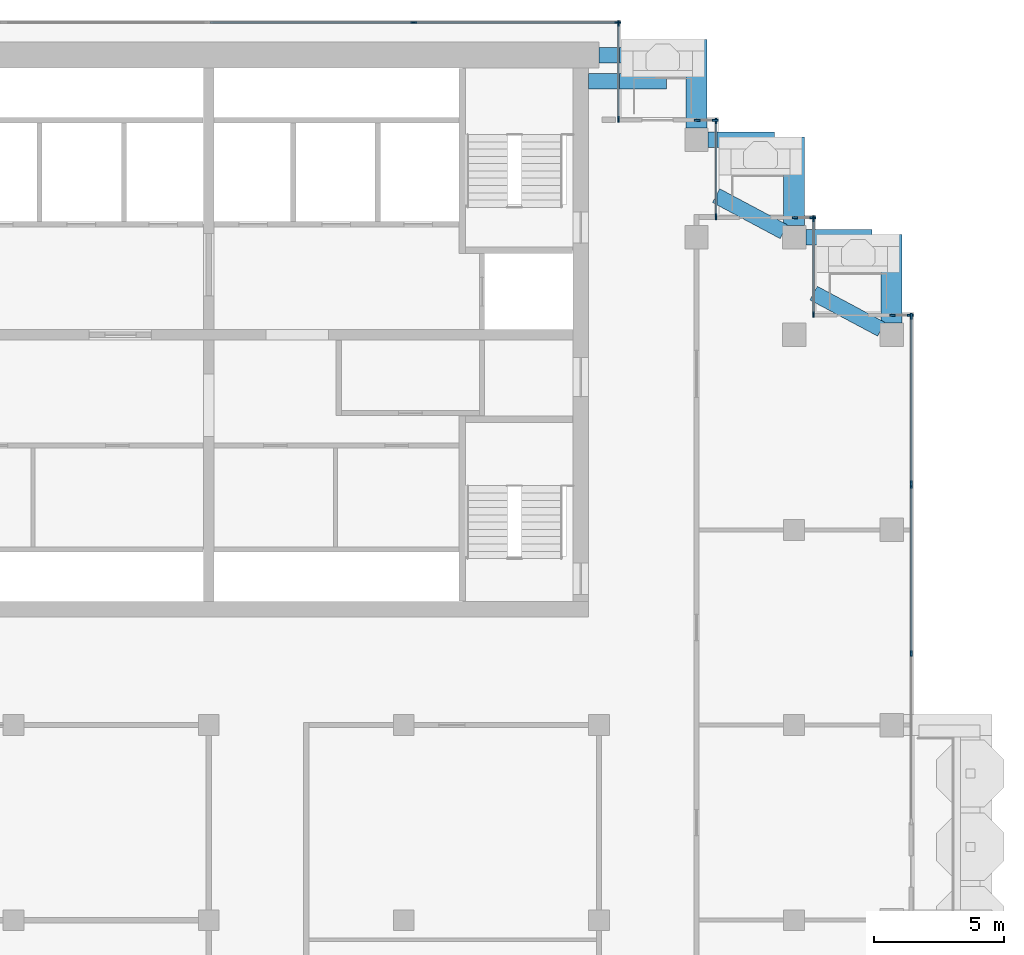
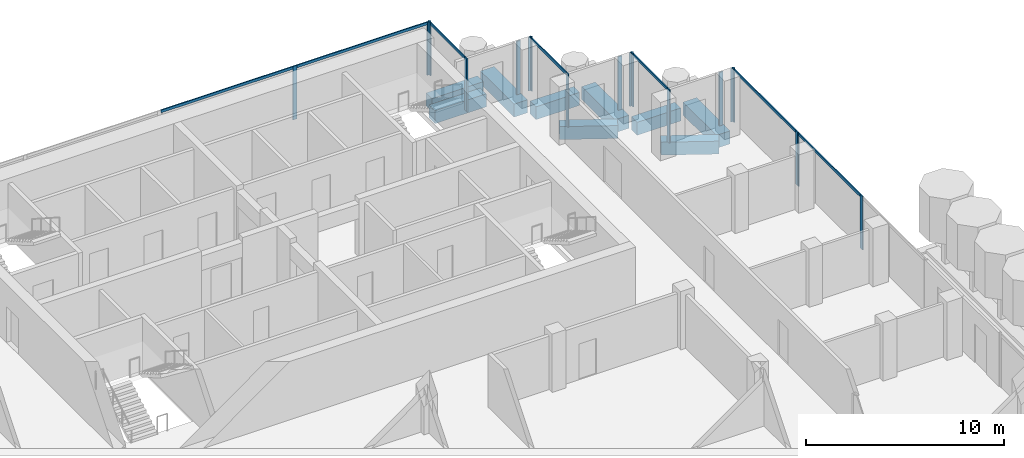
# One storey, part 6 of 18: 25 members, 9 beams, 9 elements without a shape of their own.
"""IFC4 building model written with IfcOpenShell, lengths in metres."""

from ifc_helpers import new_model, si_unit, direction, frame, origin, origin_2d, place, context, subcontext, project, spatial, rectangle, extrude, material, material_profile, profile_set, type_object, element, aggregate, save


model = new_model("IFC4")

# Units and contexts
model_context = context("Model", 3, precision=1e-05, world=origin(), true_north=direction((0.0, 1.0)))
body_context = subcontext(model_context, "Body", "Model", "MODEL_VIEW")
ifc_project = project(units=[si_unit("LENGTHUNIT", "METRE"), si_unit("AREAUNIT", "SQUARE_METRE"), si_unit("VOLUMEUNIT", "CUBIC_METRE"), si_unit("PLANEANGLEUNIT", "RADIAN"), si_unit("MASSUNIT", "GRAM", prefix="KILO")], contexts=[model_context])

# Site, building, storey
site_placement = place(None, origin())
site = spatial("IfcSite", under=ifc_project, at=site_placement, CompositionType="ELEMENT")
building_placement = place(site_placement, origin())
building = spatial("IfcBuilding", under=site, at=building_placement, Name="Pilkhan Gate Tower", CompositionType="ELEMENT")
storey_placement = place(building_placement, frame((0.0, 0.0, 242.699951171875)))
storey = spatial("IfcBuildingStorey", under=building, at=storey_placement, Name="L63", CompositionType="ELEMENT", Elevation=242.699951171875)

# Beams
ifc_material_1 = material(Name="Concrete C50/60", Category="concrete")
ifc_material_profile_1 = material_profile(ifc_material_1, rectangle(XDim=0.60009765625, YDim=0.800048828125, at=origin_2d()), Name="RC 600x800")
ifc_profile_set_1 = profile_set([ifc_material_profile_1], Name="Concrete C50/60")
beam_type_1 = type_object("IfcBeamType", Name="Cantilever beam CB1 RC 600x800 C50/60", PredefinedType="BEAM", material=ifc_profile_set_1)
for number, where, z_axis, x_axis, name in (
    (1, (90.0, 93.25, -0.699951171875), (1.0, 0.0, 0.0), (0.0, 1.0, 0.0), "Balcony beam NE.2 L63"),
    (2, (89.60009765625, 92.25, -0.699951171875), (1.0, 0.0, 0.0), (0.0, 1.0, 0.0), "Balcony beam NE.3 L63"),
):
    element("IfcBeam", number, at=place(storey_placement, frame(where, z_axis=z_axis, x_axis=x_axis)), inside=storey, type_object=beam_type_1, Name=name, PredefinedType="BEAM", context=body_context, shape_type="SweptSolid", body=[
        extrude(rectangle(XDim=0.60009765625, YDim=0.800048828125, at=origin_2d()), origin(), (0.0, 0.0, 1.0), 3.0),
    ])
beam_1_placement = place(storey_placement, frame((94.199951171875, 90.0, -0.699951171875), z_axis=(1.0, 0.0, 0.0), x_axis=(0.0, 1.0, 0.0)))
element("IfcBeam", 3, at=beam_1_placement, inside=storey, type_object=beam_type_1, Name="Balcony beam NE1.2 L63", PredefinedType="BEAM", context=body_context, shape_type="SweptSolid", body=[
    extrude(rectangle(XDim=0.60009765625, YDim=0.800048828125, at=origin_2d()), origin(), (0.0, 0.0, 1.0), 2.550048828125),
])
beam_2_placement = place(storey_placement, frame((97.10302734375, 86.461669921875, -0.699951171875), z_axis=(-0.882332323202, 0.470626891957, 0.0), x_axis=(-0.470626891957, -0.882332323202, 0.0)))
element("IfcBeam", 4, at=beam_2_placement, inside=storey, type_object=beam_type_1, Name="Balcony beam NE1.3 L63", PredefinedType="BEAM", context=body_context, shape_type="SweptSolid", body=[
    extrude(rectangle(XDim=0.60009765625, YDim=0.800048828125, at=origin_2d()), origin(), (0.0, 0.0, 1.0), 2.9501953125),
])
beam_3_placement = place(storey_placement, frame((97.949951171875, 86.25, -0.699951171875), z_axis=(1.0, 0.0, 0.0), x_axis=(0.0, 1.0, 0.0)))
element("IfcBeam", 5, at=beam_3_placement, inside=storey, type_object=beam_type_1, Name="Balcony beam NE2.2 L63", PredefinedType="BEAM", context=body_context, shape_type="SweptSolid", body=[
    extrude(rectangle(XDim=0.60009765625, YDim=0.800048828125, at=origin_2d()), origin(), (0.0, 0.0, 1.0), 2.550048828125),
])
beam_4_placement = place(storey_placement, frame((100.85302734375, 82.711669921875, -0.699951171875), z_axis=(-0.882332323202, 0.470626891957, 0.0), x_axis=(-0.470626891957, -0.882332323202, 0.0)))
element("IfcBeam", 6, at=beam_4_placement, inside=storey, type_object=beam_type_1, Name="Balcony beam NE2.3 L63", PredefinedType="BEAM", context=body_context, shape_type="SweptSolid", body=[
    extrude(rectangle(XDim=0.60009765625, YDim=0.800048828125, at=origin_2d()), origin(), (0.0, 0.0, 1.0), 2.9501953125),
])
ifc_material_profile_2 = material_profile(ifc_material_1, rectangle(XDim=0.800048828125, YDim=0.800048828125, at=origin_2d()), Name="RC 800x800")
ifc_profile_set_2 = profile_set([ifc_material_profile_2], Name="Concrete C50/60")
beam_type_2 = type_object("IfcBeamType", Name="Cantilever beam CB2 RC 800x800 C50/60", PredefinedType="BEAM", material=ifc_profile_set_2)
for number, where, z_axis, x_axis, name in (
    (7, (93.75, 90.449951171875, -0.699951171875), (0.0, 1.0, 0.0), (-1.0, 0.0, 0.0), "Balcony beam NE.1 L63"),
    (8, (97.5, 86.699951171875, -0.699951171875), (0.0, 1.0, 0.0), (-1.0, 0.0, 0.0), "Balcony beam NE1.1 L63"),
    (9, (101.25, 82.949951171875, -0.699951171875), (0.0, 1.0, 0.0), (-1.0, 0.0, 0.0), "Balcony beam NE2.1 L63"),
):
    element("IfcBeam", number, at=place(storey_placement, frame(where, z_axis=z_axis, x_axis=x_axis)), inside=storey, type_object=beam_type_2, Name=name, PredefinedType="BEAM", context=body_context, shape_type="SweptSolid", body=[
        extrude(rectangle(XDim=0.800048828125, YDim=0.800048828125, at=origin_2d()), origin(), (0.0, 0.0, 1.0), 3.400146484375),
    ])

# Curtain wall, members
ifc_material_2 = material(Name="Pale anodised aluminium, clear low-iron double glazing", Category="aluminium")
curtain_wall_type = type_object("IfcCurtainWallType", Name="Office unitised curtain wall CW-O2", PredefinedType="USERDEFINED", material=ifc_material_2)
curtain_wall_1_placement = place(storey_placement, origin())
curtain_wall_1 = element("IfcCurtainWall", 10, at=curtain_wall_1_placement, inside=storey, type_object=curtain_wall_type, Name="Office unitised curtain wall CW-O2 L63 E", ObjectType="UNITISED CURTAIN WALL", PredefinedType="USERDEFINED")
ifc_material_3 = material(Name="Pale anodised aluminium", Category="aluminium")
ifc_material_profile_3 = material_profile(ifc_material_3, rectangle(XDim=0.06494140625, YDim=0.22509765625, at=origin_2d()), Name="Mullion 225x65")
ifc_profile_set_3 = profile_set([ifc_material_profile_3], Name="Pale anodised aluminium")
member_type_1 = type_object("IfcMemberType", Name="Mullion CW-O2 225x65", PredefinedType="MULLION", material=ifc_profile_set_3)
member_1_placement = place(storey_placement, frame((102.0, 70.25, 0.0), z_axis=(0.0, 0.0, 1.0), x_axis=(-1.0, 0.0, 0.0)))
member_1 = element("IfcMember", 11, at=member_1_placement, type_object=member_type_1, Name="CW-O2 mullion 2", PredefinedType="MULLION", context=body_context, shape_type="SweptSolid", body=[
    extrude(rectangle(XDim=0.06494140625, YDim=0.22509765625, at=origin_2d()), origin(), (0.0, 0.0, 1.0), 3.300048828125),
])
member_2_placement = place(storey_placement, frame((102.0, 76.717529296875, 0.0), z_axis=(0.0, 0.0, 1.0), x_axis=(-1.0, 0.0, 0.0)))
member_2 = element("IfcMember", 12, at=member_2_placement, type_object=member_type_1, Name="CW-O2 mullion 3", PredefinedType="MULLION", context=body_context, shape_type="SweptSolid", body=[
    extrude(rectangle(XDim=0.06494140625, YDim=0.22509765625, at=origin_2d()), origin(), (0.0, 0.0, 1.0), 3.300048828125),
])

curtain_wall_2_placement = place(storey_placement, origin())
curtain_wall_2 = element("IfcCurtainWall", 13, at=curtain_wall_2_placement, inside=storey, type_object=curtain_wall_type, Name="Office unitised curtain wall CW-O2 L63 E", ObjectType="UNITISED CURTAIN WALL", PredefinedType="USERDEFINED")
member_3_placement = place(storey_placement, frame((102.0, 76.782470703125, 0.0), z_axis=(0.0, 0.0, 1.0), x_axis=(-1.0, 0.0, 0.0)))
member_3 = element("IfcMember", 14, at=member_3_placement, type_object=member_type_1, Name="CW-O2 mullion 1", PredefinedType="MULLION", context=body_context, shape_type="SweptSolid", body=[
    extrude(rectangle(XDim=0.06494140625, YDim=0.22509765625, at=origin_2d()), origin(), (0.0, 0.0, 1.0), 3.300048828125),
])
member_4_placement = place(storey_placement, frame((102.0, 83.217529296875, 0.0), z_axis=(0.0, 0.0, 1.0), x_axis=(-1.0, 0.0, 0.0)))
member_4 = element("IfcMember", 15, at=member_4_placement, type_object=member_type_1, Name="CW-O2 mullion 2", PredefinedType="MULLION", context=body_context, shape_type="SweptSolid", body=[
    extrude(rectangle(XDim=0.06494140625, YDim=0.22509765625, at=origin_2d()), origin(), (0.0, 0.0, 1.0), 3.300048828125),
])

curtain_wall_3_placement = place(storey_placement, origin())
curtain_wall_3 = element("IfcCurtainWall", 16, at=curtain_wall_3_placement, inside=storey, type_object=curtain_wall_type, Name="Office unitised curtain wall CW-O2 L63 N", ObjectType="UNITISED CURTAIN WALL", PredefinedType="USERDEFINED")
member_5_placement = place(storey_placement, frame((101.282470703125, 83.25, 0.0), z_axis=(0.0, 0.0, 1.0), x_axis=(0.0, 1.0, 0.0)))
member_5 = element("IfcMember", 17, at=member_5_placement, type_object=member_type_1, Name="CW-O2 mullion 1", PredefinedType="MULLION", context=body_context, shape_type="SweptSolid", body=[
    extrude(rectangle(XDim=0.06494140625, YDim=0.22509765625, at=origin_2d()), origin(), (0.0, 0.0, 1.0), 3.300048828125),
])
member_6_placement = place(storey_placement, frame((101.967529296875, 83.25, 0.0), z_axis=(0.0, 0.0, 1.0), x_axis=(0.0, 1.0, 0.0)))
member_6 = element("IfcMember", 18, at=member_6_placement, type_object=member_type_1, Name="CW-O2 mullion 2", PredefinedType="MULLION", context=body_context, shape_type="SweptSolid", body=[
    extrude(rectangle(XDim=0.06494140625, YDim=0.22509765625, at=origin_2d()), origin(), (0.0, 0.0, 1.0), 3.300048828125),
])
aggregate(curtain_wall_3, [member_5, member_6])

curtain_wall_4_placement = place(storey_placement, origin())
curtain_wall_4 = element("IfcCurtainWall", 19, at=curtain_wall_4_placement, inside=storey, type_object=curtain_wall_type, Name="Office unitised curtain wall CW-O2 L63 E", ObjectType="UNITISED CURTAIN WALL", PredefinedType="USERDEFINED")
member_7_placement = place(storey_placement, frame((98.25, 83.282470703125, 0.0), z_axis=(0.0, 0.0, 1.0), x_axis=(-1.0, 0.0, 0.0)))
member_7 = element("IfcMember", 20, at=member_7_placement, type_object=member_type_1, Name="CW-O2 mullion 1", PredefinedType="MULLION", context=body_context, shape_type="SweptSolid", body=[
    extrude(rectangle(XDim=0.06494140625, YDim=0.22509765625, at=origin_2d()), origin(), (0.0, 0.0, 1.0), 3.300048828125),
])
member_8_placement = place(storey_placement, frame((98.25, 86.967529296875, 0.0), z_axis=(0.0, 0.0, 1.0), x_axis=(-1.0, 0.0, 0.0)))
member_8 = element("IfcMember", 21, at=member_8_placement, type_object=member_type_1, Name="CW-O2 mullion 2", PredefinedType="MULLION", context=body_context, shape_type="SweptSolid", body=[
    extrude(rectangle(XDim=0.06494140625, YDim=0.22509765625, at=origin_2d()), origin(), (0.0, 0.0, 1.0), 3.300048828125),
])

curtain_wall_5_placement = place(storey_placement, origin())
curtain_wall_5 = element("IfcCurtainWall", 22, at=curtain_wall_5_placement, inside=storey, type_object=curtain_wall_type, Name="Office unitised curtain wall CW-O2 L63 N", ObjectType="UNITISED CURTAIN WALL", PredefinedType="USERDEFINED")
member_9_placement = place(storey_placement, frame((97.532470703125, 87.0, 0.0), z_axis=(0.0, 0.0, 1.0), x_axis=(0.0, 1.0, 0.0)))
member_9 = element("IfcMember", 23, at=member_9_placement, type_object=member_type_1, Name="CW-O2 mullion 1", PredefinedType="MULLION", context=body_context, shape_type="SweptSolid", body=[
    extrude(rectangle(XDim=0.06494140625, YDim=0.22509765625, at=origin_2d()), origin(), (0.0, 0.0, 1.0), 3.300048828125),
])
member_10_placement = place(storey_placement, frame((98.217529296875, 87.0, 0.0), z_axis=(0.0, 0.0, 1.0), x_axis=(0.0, 1.0, 0.0)))
member_10 = element("IfcMember", 24, at=member_10_placement, type_object=member_type_1, Name="CW-O2 mullion 2", PredefinedType="MULLION", context=body_context, shape_type="SweptSolid", body=[
    extrude(rectangle(XDim=0.06494140625, YDim=0.22509765625, at=origin_2d()), origin(), (0.0, 0.0, 1.0), 3.300048828125),
])
aggregate(curtain_wall_5, [member_9, member_10])

curtain_wall_6_placement = place(storey_placement, origin())
curtain_wall_6 = element("IfcCurtainWall", 25, at=curtain_wall_6_placement, inside=storey, type_object=curtain_wall_type, Name="Office unitised curtain wall CW-O2 L63 E", ObjectType="UNITISED CURTAIN WALL", PredefinedType="USERDEFINED")
member_11_placement = place(storey_placement, frame((94.5, 87.032470703125, 0.0), z_axis=(0.0, 0.0, 1.0), x_axis=(-1.0, 0.0, 0.0)))
member_11 = element("IfcMember", 26, at=member_11_placement, type_object=member_type_1, Name="CW-O2 mullion 1", PredefinedType="MULLION", context=body_context, shape_type="SweptSolid", body=[
    extrude(rectangle(XDim=0.06494140625, YDim=0.22509765625, at=origin_2d()), origin(), (0.0, 0.0, 1.0), 3.300048828125),
])
member_12_placement = place(storey_placement, frame((94.5, 90.717529296875, 0.0), z_axis=(0.0, 0.0, 1.0), x_axis=(-1.0, 0.0, 0.0)))
member_12 = element("IfcMember", 27, at=member_12_placement, type_object=member_type_1, Name="CW-O2 mullion 2", PredefinedType="MULLION", context=body_context, shape_type="SweptSolid", body=[
    extrude(rectangle(XDim=0.06494140625, YDim=0.22509765625, at=origin_2d()), origin(), (0.0, 0.0, 1.0), 3.300048828125),
])

curtain_wall_7_placement = place(storey_placement, origin())
curtain_wall_7 = element("IfcCurtainWall", 28, at=curtain_wall_7_placement, inside=storey, type_object=curtain_wall_type, Name="Office unitised curtain wall CW-O2 L63 N", ObjectType="UNITISED CURTAIN WALL", PredefinedType="USERDEFINED")
member_13_placement = place(storey_placement, frame((93.782470703125, 90.75, 0.0), z_axis=(0.0, 0.0, 1.0), x_axis=(0.0, 1.0, 0.0)))
member_13 = element("IfcMember", 29, at=member_13_placement, type_object=member_type_1, Name="CW-O2 mullion 1", PredefinedType="MULLION", context=body_context, shape_type="SweptSolid", body=[
    extrude(rectangle(XDim=0.06494140625, YDim=0.22509765625, at=origin_2d()), origin(), (0.0, 0.0, 1.0), 3.300048828125),
])
member_14_placement = place(storey_placement, frame((94.467529296875, 90.75, 0.0), z_axis=(0.0, 0.0, 1.0), x_axis=(0.0, 1.0, 0.0)))
member_14 = element("IfcMember", 30, at=member_14_placement, type_object=member_type_1, Name="CW-O2 mullion 2", PredefinedType="MULLION", context=body_context, shape_type="SweptSolid", body=[
    extrude(rectangle(XDim=0.06494140625, YDim=0.22509765625, at=origin_2d()), origin(), (0.0, 0.0, 1.0), 3.300048828125),
])
aggregate(curtain_wall_7, [member_13, member_14])

curtain_wall_8_placement = place(storey_placement, origin())
curtain_wall_8 = element("IfcCurtainWall", 31, at=curtain_wall_8_placement, inside=storey, type_object=curtain_wall_type, Name="Office unitised curtain wall CW-O2 L63 E", ObjectType="UNITISED CURTAIN WALL", PredefinedType="USERDEFINED")
member_15_placement = place(storey_placement, frame((90.75, 90.782470703125, 0.0), z_axis=(0.0, 0.0, 1.0), x_axis=(-1.0, 0.0, 0.0)))
member_15 = element("IfcMember", 32, at=member_15_placement, type_object=member_type_1, Name="CW-O2 mullion 1", PredefinedType="MULLION", context=body_context, shape_type="SweptSolid", body=[
    extrude(rectangle(XDim=0.06494140625, YDim=0.22509765625, at=origin_2d()), origin(), (0.0, 0.0, 1.0), 3.300048828125),
])
member_16_placement = place(storey_placement, frame((90.75, 94.467529296875, 0.0), z_axis=(0.0, 0.0, 1.0), x_axis=(-1.0, 0.0, 0.0)))
member_16 = element("IfcMember", 33, at=member_16_placement, type_object=member_type_1, Name="CW-O2 mullion 2", PredefinedType="MULLION", context=body_context, shape_type="SweptSolid", body=[
    extrude(rectangle(XDim=0.06494140625, YDim=0.22509765625, at=origin_2d()), origin(), (0.0, 0.0, 1.0), 3.300048828125),
])

curtain_wall_9_placement = place(storey_placement, origin())
curtain_wall_9 = element("IfcCurtainWall", 34, at=curtain_wall_9_placement, inside=storey, type_object=curtain_wall_type, Name="Office unitised curtain wall CW-O2 L63 N", ObjectType="UNITISED CURTAIN WALL", PredefinedType="USERDEFINED")
member_17_placement = place(storey_placement, frame((82.875, 94.5, 0.0), z_axis=(0.0, 0.0, 1.0), x_axis=(0.0, 1.0, 0.0)))
member_17 = element("IfcMember", 35, at=member_17_placement, type_object=member_type_1, Name="CW-O2 mullion 2", PredefinedType="MULLION", context=body_context, shape_type="SweptSolid", body=[
    extrude(rectangle(XDim=0.06494140625, YDim=0.22509765625, at=origin_2d()), origin(), (0.0, 0.0, 1.0), 3.300048828125),
])
member_18_placement = place(storey_placement, frame((90.717529296875, 94.5, 0.0), z_axis=(0.0, 0.0, 1.0), x_axis=(0.0, 1.0, 0.0)))
member_18 = element("IfcMember", 36, at=member_18_placement, type_object=member_type_1, Name="CW-O2 mullion 3", PredefinedType="MULLION", context=body_context, shape_type="SweptSolid", body=[
    extrude(rectangle(XDim=0.06494140625, YDim=0.22509765625, at=origin_2d()), origin(), (0.0, 0.0, 1.0), 3.300048828125),
])

# Member
ifc_material_profile_4 = material_profile(ifc_material_3, rectangle(XDim=0.06494140625, YDim=0.1650390625, at=origin_2d()), Name="Transom 165x65")
ifc_profile_set_4 = profile_set([ifc_material_profile_4], Name="Pale anodised aluminium")
member_type_2 = type_object("IfcMemberType", Name="Transom CW-O2 165x65", PredefinedType="USERDEFINED", material=ifc_profile_set_4)
member_19_placement = place(storey_placement, frame((102.0, 70.282470703125, 3.217529296875), z_axis=(0.0, 1.0, 0.0), x_axis=(-1.0, 0.0, 0.0)))
member_19 = element("IfcMember", 37, at=member_19_placement, type_object=member_type_2, Name="CW-O2 transom 2", ObjectType="TRANSOM", PredefinedType="USERDEFINED", context=body_context, shape_type="SweptSolid", body=[
    extrude(rectangle(XDim=0.06494140625, YDim=0.1650390625, at=origin_2d()), origin(), (0.0, 0.0, 1.0), 6.402587890625),
])

aggregate(curtain_wall_1, [member_1, member_2, member_19])

member_20_placement = place(storey_placement, frame((102.0, 76.81494140625, 3.217529296875), z_axis=(0.0, 1.0, 0.0), x_axis=(-1.0, 0.0, 0.0)))
member_20 = element("IfcMember", 38, at=member_20_placement, type_object=member_type_2, Name="CW-O2 transom 1", ObjectType="TRANSOM", PredefinedType="USERDEFINED", context=body_context, shape_type="SweptSolid", body=[
    extrude(rectangle(XDim=0.06494140625, YDim=0.1650390625, at=origin_2d()), origin(), (0.0, 0.0, 1.0), 6.3701171875),
])

aggregate(curtain_wall_2, [member_3, member_4, member_20])

member_21_placement = place(storey_placement, frame((98.25, 83.31494140625, 3.217529296875), z_axis=(0.0, 1.0, 0.0), x_axis=(-1.0, 0.0, 0.0)))
member_21 = element("IfcMember", 39, at=member_21_placement, type_object=member_type_2, Name="CW-O2 transom 1", ObjectType="TRANSOM", PredefinedType="USERDEFINED", context=body_context, shape_type="SweptSolid", body=[
    extrude(rectangle(XDim=0.06494140625, YDim=0.1650390625, at=origin_2d()), origin(), (0.0, 0.0, 1.0), 3.6201171875),
])

aggregate(curtain_wall_4, [member_7, member_8, member_21])

member_22_placement = place(storey_placement, frame((94.5, 87.06494140625, 3.217529296875), z_axis=(0.0, 1.0, 0.0), x_axis=(-1.0, 0.0, 0.0)))
member_22 = element("IfcMember", 40, at=member_22_placement, type_object=member_type_2, Name="CW-O2 transom 1", ObjectType="TRANSOM", PredefinedType="USERDEFINED", context=body_context, shape_type="SweptSolid", body=[
    extrude(rectangle(XDim=0.06494140625, YDim=0.1650390625, at=origin_2d()), origin(), (0.0, 0.0, 1.0), 3.6201171875),
])

aggregate(curtain_wall_6, [member_11, member_12, member_22])

member_23_placement = place(storey_placement, frame((90.75, 90.81494140625, 3.217529296875), z_axis=(0.0, 1.0, 0.0), x_axis=(-1.0, 0.0, 0.0)))
member_23 = element("IfcMember", 41, at=member_23_placement, type_object=member_type_2, Name="CW-O2 transom 1", ObjectType="TRANSOM", PredefinedType="USERDEFINED", context=body_context, shape_type="SweptSolid", body=[
    extrude(rectangle(XDim=0.06494140625, YDim=0.1650390625, at=origin_2d()), origin(), (0.0, 0.0, 1.0), 3.6201171875),
])

aggregate(curtain_wall_8, [member_15, member_16, member_23])

member_24_placement = place(storey_placement, frame((75.06494140625, 94.5, 3.217529296875), z_axis=(1.0, 0.0, 0.0), x_axis=(0.0, 1.0, 0.0)))
member_24 = element("IfcMember", 42, at=member_24_placement, type_object=member_type_2, Name="CW-O2 transom 1", ObjectType="TRANSOM", PredefinedType="USERDEFINED", context=body_context, shape_type="SweptSolid", body=[
    extrude(rectangle(XDim=0.06494140625, YDim=0.1650390625, at=origin_2d()), origin(), (0.0, 0.0, 1.0), 7.777587890625),
])

member_25_placement = place(storey_placement, frame((82.907470703125, 94.5, 3.217529296875), z_axis=(1.0, 0.0, 0.0), x_axis=(0.0, 1.0, 0.0)))
member_25 = element("IfcMember", 43, at=member_25_placement, type_object=member_type_2, Name="CW-O2 transom 2", ObjectType="TRANSOM", PredefinedType="USERDEFINED", context=body_context, shape_type="SweptSolid", body=[
    extrude(rectangle(XDim=0.06494140625, YDim=0.1650390625, at=origin_2d()), origin(), (0.0, 0.0, 1.0), 7.777587890625),
])

aggregate(curtain_wall_9, [member_17, member_18, member_24, member_25])

save(model, "model.ifc")
